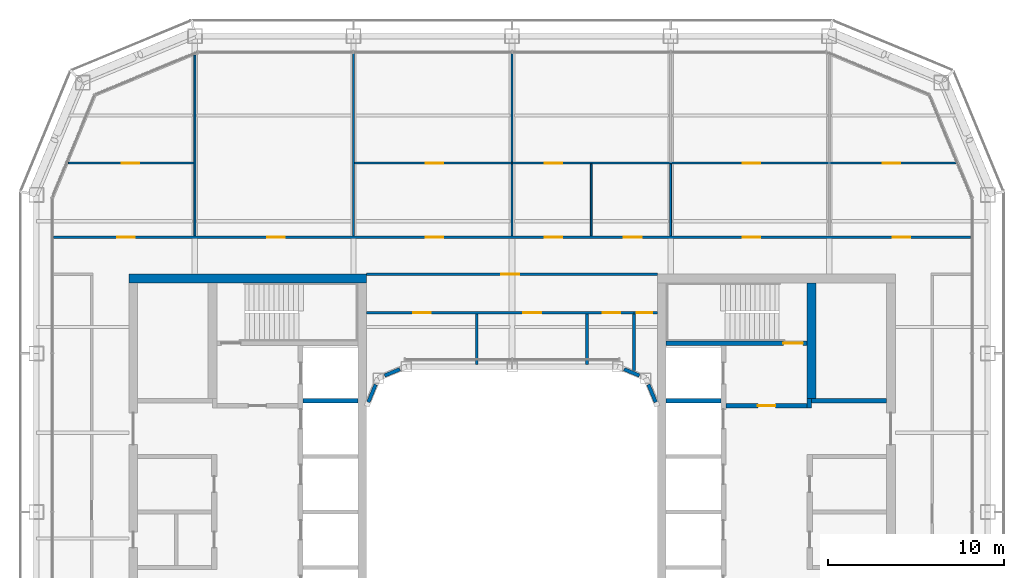
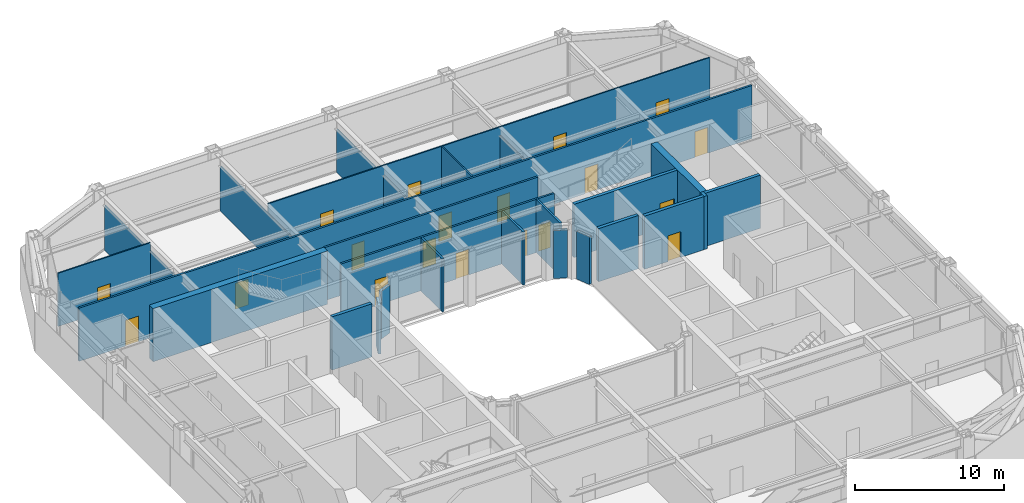
# One storey, part 14 of 19: 27 walls, 19 doors, 19 openings.
"""IFC4 building model written with IfcOpenShell, lengths in metres."""

import ifcopenshell
import ifcopenshell.guid

model = None  # the IFC model being written
_history = None  # IfcOwnerHistory: only IFC2X3 demands one
_inside = {}  # id of a spatial element -> (the spatial element, [elements in it])
_under = {}  # id of a project, library or spatial element -> (it, [spatial elements below it])
_declared = {}  # id of a project -> (the project, [libraries it declares])
_typed = {}  # id of a type object -> (the type object, [elements of that type])
_made_of = {}  # id of a material, layer set ... -> (it, [elements and type objects made of it])


def new_model(schema):
    """Start an empty IFC model of exactly this schema.

    Asked for "IFC4X3", IfcOpenShell would pick the latest addendum, in which some entities
    have other attributes; the version numbers below select the first issue.
    IFC2X3 requires an IfcOwnerHistory on every rooted entity: one is made here for all.
    """
    global model, _history
    if schema == "IFC4X3":
        model = ifcopenshell.file(schema_version=(4, 3, 0, 0))
    else:
        model = ifcopenshell.file(schema=schema)
    _inside.clear()
    _under.clear()
    _declared.clear()
    _typed.clear()
    _made_of.clear()
    _history = None
    if model.schema == "IFC2X3":
        org = make("IfcOrganization", Name="unknown")
        user = make(
            "IfcPersonAndOrganization",
            ThePerson=make("IfcPerson", FamilyName="unknown"),
            TheOrganization=org,
        )
        app = make(
            "IfcApplication",
            ApplicationDeveloper=org,
            Version="unknown",
            ApplicationFullName="unknown",
            ApplicationIdentifier="unknown",
        )
        _history = make(
            "IfcOwnerHistory",
            OwningUser=user,
            OwningApplication=app,
            ChangeAction="ADDED",
            CreationDate=0,
        )
    return model


def make(cls, **values):
    """One entity of the class cls with the attributes given. An attribute that is None is left unset."""
    return model.create_entity(
        cls, **{name: value for name, value in values.items() if value is not None}
    )


def rooted(cls, **values):
    """An entity with a GlobalId (a new one), such as an element, a storey or a relation."""
    return make(cls, GlobalId=ifcopenshell.guid.new(), OwnerHistory=_history, **values)


def si_unit(unit_type, name, prefix=None):
    """IfcSIUnit, for example si_unit("LENGTHUNIT", "METRE", prefix="MILLI")."""
    return make("IfcSIUnit", UnitType=unit_type, Prefix=prefix, Name=name)


def assignment(units):
    """IfcUnitAssignment: the units of a project."""
    return None if units is None else make("IfcUnitAssignment", Units=units)


def point(xyz):
    """IfcCartesianPoint."""
    return None if xyz is None else make("IfcCartesianPoint", Coordinates=xyz)


def direction(xyz):
    """IfcDirection."""
    return None if xyz is None else make("IfcDirection", DirectionRatios=xyz)


def frame(location, z_axis=None, x_axis=None):
    """IfcAxis2Placement3D, a coordinate frame: its origin and axes. An axis left out is left unset."""
    return make(
        "IfcAxis2Placement3D",
        Location=point(location),
        Axis=direction(z_axis),
        RefDirection=direction(x_axis),
    )


def frame_2d(location, x_axis=None):
    """IfcAxis2Placement2D, a coordinate frame in the plane: its origin and x axis."""
    return make(
        "IfcAxis2Placement2D", Location=point(location), RefDirection=direction(x_axis)
    )


def origin():
    """The frame at (0, 0, 0) with its axes left unset."""
    return frame((0.0, 0.0, 0.0))


def place(relative_to, where):
    """IfcLocalPlacement: puts the frame where relative to a parent placement (None: the world)."""
    return make(
        "IfcLocalPlacement", PlacementRelTo=relative_to, RelativePlacement=where
    )


def context(
    kind, dimensions, precision=None, world=None, true_north=None, identifier=None
):
    """IfcGeometricRepresentationContext, for example the 3D "Model" context."""
    return make(
        "IfcGeometricRepresentationContext",
        ContextIdentifier=identifier,
        ContextType=kind,
        CoordinateSpaceDimension=dimensions,
        Precision=precision,
        WorldCoordinateSystem=world,
        TrueNorth=true_north,
    )


def subcontext(parent, identifier, kind, view, scale=None):
    """IfcGeometricRepresentationSubContext, for example "Body" below "Model"."""
    return make(
        "IfcGeometricRepresentationSubContext",
        ContextIdentifier=identifier,
        ContextType=kind,
        ParentContext=parent,
        TargetScale=scale,
        TargetView=view,
    )


def project(units=None, contexts=None):
    """IfcProject with its units and contexts."""
    return rooted(
        "IfcProject",
        Name="project",
        RepresentationContexts=contexts,
        UnitsInContext=assignment(units),
    )


def spatial(cls, under=None, at=None, **own):
    """A site, building, storey or space (cls), placed at a placement, below another one or the project."""
    s = rooted(cls, ObjectPlacement=at, **own)
    if under is not None:
        _under.setdefault(under.id(), (under, []))[1].append(s)
    return s


def profile(cls, at=None, kind="AREA", **sizes):
    """A parametric profile (cls). Its sizes go by their IFC names, for example OverallWidth=200.0."""
    return make(cls, ProfileType=kind, Position=at, **sizes)


def rectangle(**sizes):
    """IfcRectangleProfileDef."""
    return profile("IfcRectangleProfileDef", **sizes)


def extrude(swept, where, along, depth):
    """IfcExtrudedAreaSolid: the profile swept, set in the frame where, extruded along a direction by depth."""
    return make(
        "IfcExtrudedAreaSolid",
        SweptArea=swept,
        Position=where,
        ExtrudedDirection=direction(along),
        Depth=depth,
    )


def shape(context_of_items, identifier, shape_type, items):
    """IfcShapeRepresentation: the items that make up one representation, for example the "Body"."""
    return make(
        "IfcShapeRepresentation",
        ContextOfItems=context_of_items,
        RepresentationIdentifier=identifier,
        RepresentationType=shape_type,
        Items=items,
    )


def material(Name=None, Category=None):
    """IfcMaterial."""
    return make("IfcMaterial", Name=Name, Category=Category)


def layer(
    of_material, thickness, ventilated=None, Name=None, Category=None, Priority=None
):
    """IfcMaterialLayer: one layer of a wall or slab, of a material (None: an air gap)."""
    return make(
        "IfcMaterialLayer",
        Material=of_material,
        LayerThickness=thickness,
        IsVentilated=ventilated,
        Name=Name,
        Category=Category,
        Priority=Priority,
    )


def layer_set(layers, Name=None):
    """IfcMaterialLayerSet."""
    return make("IfcMaterialLayerSet", MaterialLayers=layers, LayerSetName=Name)


def made_of(thing, what):
    """Note that an element or type object is made of a material, layer set ...; save() writes the relation."""
    if what is not None:
        _made_of.setdefault(what.id(), (what, []))[1].append(thing)
    return thing


def type_object(cls, material=None, **own):
    """A type object (cls), such as IfcWallType, which elements share."""
    return made_of(rooted(cls, **own), material)


def element(
    cls,
    number,
    at=None,
    inside=None,
    cuts=None,
    type_object=None,
    material=None,
    context=None,
    identifier="Body",
    shape_type=None,
    held_by="IfcProductDefinitionShape",
    body=None,
    shapes=None,
    **own,
):
    """One element of the class cls, such as IfcWall. Its Tag is "e" and its number.

    at: its placement. inside: the storey or other place that contains it. cuts: it is an
    opening in that element (IfcRelVoidsElement). A single representation is given by context,
    identifier, shape_type and body (its items); several are given by shapes. held_by: the class
    of the entity that holds the representations. save() writes the other relations.
    """
    e = rooted(cls, Tag="e%d" % number, ObjectPlacement=at, **own)
    if body is not None:
        shapes = [shape(context, identifier, shape_type, body)]
    if shapes is not None:
        e.Representation = make(held_by, Representations=shapes)
    if inside is not None:
        _inside.setdefault(inside.id(), (inside, []))[1].append(e)
    if cuts is not None:
        rooted(
            "IfcRelVoidsElement", RelatingBuildingElement=cuts, RelatedOpeningElement=e
        )
    if type_object is not None:
        _typed.setdefault(type_object.id(), (type_object, []))[1].append(e)
    return made_of(e, material)


def fill(opening, filler):
    """IfcRelFillsElement: the door or window that sits in an opening."""
    return rooted(
        "IfcRelFillsElement",
        RelatingOpeningElement=opening,
        RelatedBuildingElement=filler,
    )


def aggregate(whole, parts):
    """IfcRelAggregates: a whole, such as a stair, and the parts it consists of."""
    return rooted("IfcRelAggregates", RelatingObject=whole, RelatedObjects=parts)


def save(model, path):
    """Write the relations noted so far, then the file.

    IfcRelAggregates (storeys below a building ...), IfcRelContainedInSpatialStructure (elements
    in a storey), IfcRelDefinesByType, IfcRelAssociatesMaterial and IfcRelDeclares: one each for
    every whole, place, type object, material and project.
    """
    for whole, parts in _under.values():
        aggregate(whole, parts)
    for where, things in _inside.values():
        rooted(
            "IfcRelContainedInSpatialStructure",
            RelatedElements=things,
            RelatingStructure=where,
        )
    for kind, things in _typed.values():
        rooted("IfcRelDefinesByType", RelatedObjects=things, RelatingType=kind)
    for what, things in _made_of.values():
        rooted("IfcRelAssociatesMaterial", RelatedObjects=things, RelatingMaterial=what)
    for by, libraries in _declared.values():
        rooted("IfcRelDeclares", RelatingContext=by, RelatedDefinitions=libraries)
    model.write(path)


model = new_model("IFC4")

# Units and contexts
model_context = context("Model", 3, precision=1e-05, world=origin(), true_north=direction((0.0, 1.0)))
body_context = subcontext(model_context, "Body", "Model", "MODEL_VIEW")
ifc_project = project(units=[si_unit("LENGTHUNIT", "METRE"), si_unit("AREAUNIT", "SQUARE_METRE"), si_unit("VOLUMEUNIT", "CUBIC_METRE"), si_unit("PLANEANGLEUNIT", "RADIAN"), si_unit("MASSUNIT", "GRAM", prefix="KILO")], contexts=[model_context])

# Site, building, storey
site_placement = place(None, origin())
site = spatial("IfcSite", under=ifc_project, at=site_placement, CompositionType="ELEMENT")
building_placement = place(site_placement, origin())
building = spatial("IfcBuilding", under=site, at=building_placement, Name="Siwar Civic Tower", CompositionType="ELEMENT")
storey_placement = place(building_placement, frame((0.0, 0.0, 192.699951171875)))
storey = spatial("IfcBuildingStorey", under=building, at=storey_placement, Name="L41", CompositionType="ELEMENT", Elevation=192.699951171875)

# Wall, opening, door
ifc_material_1 = material(Name="Gypsum board on steel studs", Category="steel")
ifc_layer_1 = layer(ifc_material_1, 0.14990234375)
ifc_layer_set_1 = layer_set([ifc_layer_1], Name="Gypsum board on steel studs")
wall_type_1 = type_object("IfcWallType", Name="COMPARTMENT PARTITION 150 EI 60", PredefinedType="PARTITIONING", material=ifc_layer_set_1)
wall_1_placement = place(storey_placement, frame((6.919921875, 11.300048828125, 0.0), z_axis=(0.0, 0.0, 1.0), x_axis=(1.0, 0.0, 0.0)))
wall_1 = element("IfcWall", 1, at=wall_1_placement, inside=storey, type_object=wall_type_1, Name="L41/wall/P08", PredefinedType="PARTITIONING", context=body_context, shape_type="SweptSolid", body=[
    extrude(rectangle(XDim=1.330078125, YDim=0.14990234375, at=frame_2d((0.6650390625, 0.0))), origin(), (0.0, 0.0, 1.0), 4.35009765625),
])
opening_1_placement = place(wall_1_placement, frame((0.14990234375, 0.0, 0.0)))
opening_1 = element("IfcOpeningElement", 2, at=opening_1_placement, cuts=wall_1, Name="Opening D4", PredefinedType="OPENING", context=body_context, shape_type="SweptSolid", body=[
    extrude(rectangle(XDim=0.89990234375, YDim=2.10009765625, at=frame_2d((0.449951171875, 1.050048828125))), frame((0.0, 0.0849609375, 0.0), z_axis=(0.0, -1.0, 0.0), x_axis=(1.0, 0.0, 0.0)), (0.0, 0.0, 1.0), 0.169921875),
])
ifc_material_2 = material(Name="Timber, painted", Category="wood")
door_type_1 = type_object("IfcDoorType", Name="DOOR 900 X 2100 FD60", OperationType="SINGLE_SWING_LEFT", PredefinedType="DOOR", material=ifc_material_2)
door_1_placement = place(opening_1_placement, origin())
door_1 = element("IfcDoor", 3, at=door_1_placement, inside=storey, type_object=door_type_1, Name="L41-D28", OperationType="SINGLE_SWING_RIGHT", OverallHeight=2.10009765625, OverallWidth=0.89990234375, PredefinedType="DOOR", context=body_context, shape_type="SweptSolid", body=[
    extrude(rectangle(XDim=0.89990234375, YDim=2.10009765625, at=frame_2d((0.449951171875, 1.050048828125))), frame((0.0, 0.02490234375, 0.0), z_axis=(0.0, -1.0, 0.0), x_axis=(1.0, 0.0, 0.0)), (0.0, 0.0, 1.0), 0.050048828125),
])
fill(opening_1, door_1)

# Walls
wall_2_placement = place(storey_placement, frame((6.919921875, 8.029052734375, 0.0), z_axis=(0.0, 0.0, 1.0), x_axis=(0.0, 1.0, 0.0)))
element("IfcWall", 4, at=wall_2_placement, inside=storey, type_object=wall_type_1, Name="L41/wall/P27", PredefinedType="PARTITIONING", context=body_context, shape_type="SweptSolid", body=[
    extrude(rectangle(XDim=3.196044921875, YDim=0.14990234375, at=frame_2d((1.59814453125, 0.0))), origin(), (0.0, 0.0, 1.0), 4.35009765625),
])
ifc_material_3 = material(Name="Concrete C60/75", Category="concrete")
ifc_layer_2 = layer(ifc_material_3, 0.25)
ifc_layer_set_2 = layer_set([ifc_layer_2], Name="Concrete C60/75")
wall_type_2 = type_object("IfcWallType", Name="CORE-WALL-RC250", PredefinedType="SHEAR", material=ifc_layer_set_2)
wall_3_placement = place(storey_placement, frame((-8.75, 6.300048828125, 0.0), z_axis=(0.0, 0.0, 1.0), x_axis=(-1.0, 0.0, 0.0)))
element("IfcWall", 5, at=wall_3_placement, inside=storey, type_object=wall_type_2, Name="Core wall W", PredefinedType="SHEAR", context=body_context, shape_type="SweptSolid", body=[
    extrude(rectangle(XDim=3.10009765625, YDim=0.25, at=frame_2d((1.550048828125, 0.0))), origin(), (0.0, 0.0, 1.0), 4.35009765625),
])

# Wall, opening, door
wall_4_placement = place(storey_placement, frame((12.14990234375, 6.02490234375, 0.0), z_axis=(0.0, 0.0, 1.0), x_axis=(1.0, 0.0, 0.0)))
wall_4 = element("IfcWall", 6, at=wall_4_placement, inside=storey, type_object=wall_type_2, Name="Core wall E", PredefinedType="SHEAR", context=body_context, shape_type="SweptSolid", body=[
    extrude(rectangle(XDim=4.60009765625, YDim=0.25, at=frame_2d((2.300048828125, 0.0))), origin(), (0.0, 0.0, 1.0), 4.35009765625),
])
opening_2_placement = place(wall_4_placement, frame((1.800048828125, 0.0, 0.0)))
opening_2 = element("IfcOpeningElement", 7, at=opening_2_placement, cuts=wall_4, Name="Opening L41-CE01", PredefinedType="OPENING", context=body_context, shape_type="SweptSolid", body=[
    extrude(rectangle(XDim=1.0, YDim=2.10009765625, at=frame_2d((0.5, 1.050048828125))), frame((0.0, 0.135009765625, 0.0), z_axis=(0.0, -1.0, 0.0), x_axis=(1.0, 0.0, 0.0)), (0.0, 0.0, 1.0), 0.27001953125),
])
ifc_material_4 = material(Name="Steel door leaf", Category="steel")
door_type_2 = type_object("IfcDoorType", Name="CORE-DOOR-FD30S", OperationType="SINGLE_SWING_LEFT", PredefinedType="DOOR", material=ifc_material_4)
door_2_placement = place(opening_2_placement, origin())
door_2 = element("IfcDoor", 8, at=door_2_placement, inside=storey, type_object=door_type_2, Name="Firefighting lobby door L41-CE01", OperationType="SINGLE_SWING_RIGHT", OverallHeight=2.10009765625, OverallWidth=1.0, PredefinedType="DOOR", context=body_context, shape_type="SweptSolid", body=[
    extrude(rectangle(XDim=1.0, YDim=2.10009765625, at=frame_2d((0.5, 1.050048828125))), frame((0.0, 0.02490234375, 0.0), z_axis=(0.0, -1.0, 0.0), x_axis=(1.0, 0.0, 0.0)), (0.0, 0.0, 1.0), 0.050048828125),
])
fill(opening_2, door_2)

# Walls
wall_5_placement = place(storey_placement, frame((16.875, 5.89990234375, 0.0), z_axis=(0.0, 0.0, 1.0), x_axis=(0.0, 1.0, 0.0)))
element("IfcWall", 9, at=wall_5_placement, inside=storey, type_object=wall_type_2, Name="Core wall E", PredefinedType="SHEAR", context=body_context, shape_type="SweptSolid", body=[
    extrude(rectangle(XDim=0.525146484375, YDim=0.25, at=frame_2d((0.2626953125, 0.0))), origin(), (0.0, 0.0, 1.0), 4.35009765625),
])
wall_6_placement = place(storey_placement, frame((17.0, 6.300048828125, 0.0), z_axis=(0.0, 0.0, 1.0), x_axis=(1.0, 0.0, 0.0)))
element("IfcWall", 10, at=wall_6_placement, inside=storey, type_object=wall_type_2, Name="Core wall E", PredefinedType="SHEAR", context=body_context, shape_type="SweptSolid", body=[
    extrude(rectangle(XDim=4.25, YDim=0.25, at=frame_2d((2.125, 0.0))), origin(), (0.0, 0.0, 1.0), 4.35009765625),
])
wall_7_placement = place(storey_placement, frame((8.75, 6.300048828125, 0.0), z_axis=(0.0, 0.0, 1.0), x_axis=(1.0, 0.0, 0.0)))
element("IfcWall", 11, at=wall_7_placement, inside=storey, type_object=wall_type_2, Name="Core wall E", PredefinedType="SHEAR", context=body_context, shape_type="SweptSolid", body=[
    extrude(rectangle(XDim=3.10009765625, YDim=0.25, at=frame_2d((1.550048828125, 0.0))), origin(), (0.0, 0.0, 1.0), 4.35009765625),
])

# Wall, opening, door
wall_8_placement = place(storey_placement, frame((8.75, 9.574951171875, 0.0), z_axis=(0.0, 0.0, 1.0), x_axis=(1.0, 0.0, 0.0)))
wall_8 = element("IfcWall", 12, at=wall_8_placement, inside=storey, type_object=wall_type_2, Name="Core wall E", PredefinedType="SHEAR", context=body_context, shape_type="SweptSolid", body=[
    extrude(rectangle(XDim=8.0, YDim=0.25, at=frame_2d((4.0, 0.0))), origin(), (0.0, 0.0, 1.0), 4.35009765625),
])
opening_3_placement = place(wall_8_placement, frame((6.64990234375, 0.0, 0.0)))
opening_3 = element("IfcOpeningElement", 13, at=opening_3_placement, cuts=wall_8, Name="Opening L41-CE03", PredefinedType="OPENING", context=body_context, shape_type="SweptSolid", body=[
    extrude(rectangle(XDim=1.10009765625, YDim=2.10009765625, at=frame_2d((0.550048828125, 1.050048828125))), frame((0.0, 0.135009765625, 0.0), z_axis=(0.0, -1.0, 0.0), x_axis=(1.0, 0.0, 0.0)), (0.0, 0.0, 1.0), 0.27001953125),
])
ifc_material_5 = material(Name="Steel door leaf", Category="steel")
door_type_3 = type_object("IfcDoorType", Name="CORE-DOOR-FD60S", OperationType="SINGLE_SWING_LEFT", PredefinedType="DOOR", material=ifc_material_5)
door_3_placement = place(opening_3_placement, origin())
door_3 = element("IfcDoor", 14, at=door_3_placement, inside=storey, type_object=door_type_3, Name="Stair door L41-CE03", OperationType="SINGLE_SWING_LEFT", OverallHeight=2.10009765625, OverallWidth=1.10009765625, PredefinedType="DOOR", context=body_context, shape_type="SweptSolid", body=[
    extrude(rectangle(XDim=1.10009765625, YDim=2.10009765625, at=frame_2d((0.550048828125, 1.050048828125))), frame((0.0, 0.02490234375, 0.0), z_axis=(0.0, -1.0, 0.0), x_axis=(1.0, 0.0, 0.0)), (0.0, 0.0, 1.0), 0.050048828125),
])
fill(opening_3, door_3)

# Walls
ifc_material_6 = material(Name="Concrete C60/75", Category="concrete")
ifc_layer_3 = layer(ifc_material_6, 0.5)
ifc_layer_set_3 = layer_set([ifc_layer_3], Name="Concrete C60/75")
wall_type_3 = type_object("IfcWallType", Name="CORE-WALL-RC500", PredefinedType="SHEAR", material=ifc_layer_set_3)
wall_9_placement = place(storey_placement, frame((-8.25, 13.25, 0.0), z_axis=(0.0, 0.0, 1.0), x_axis=(-1.0, 0.0, 0.0)))
element("IfcWall", 15, at=wall_9_placement, inside=storey, type_object=wall_type_3, Name="Core wall W", PredefinedType="SHEAR", context=body_context, shape_type="SweptSolid", body=[
    extrude(rectangle(XDim=13.5, YDim=0.5, at=frame_2d((6.75, 0.0))), origin(), (0.0, 0.0, 1.0), 4.35009765625),
])
wall_10_placement = place(storey_placement, frame((17.0, 6.425048828125, 0.0), z_axis=(0.0, 0.0, 1.0), x_axis=(0.0, 1.0, 0.0)))
element("IfcWall", 16, at=wall_10_placement, inside=storey, type_object=wall_type_3, Name="Core wall E", PredefinedType="SHEAR", context=body_context, shape_type="SweptSolid", body=[
    extrude(rectangle(XDim=6.574951171875, YDim=0.5, at=frame_2d((3.28759765625, 0.0))), origin(), (0.0, 0.0, 1.0), 4.35009765625),
])

# Wall, openings, doors
ifc_material_7 = material(Name="Gypsum board on steel studs", Category="steel")
ifc_layer_4 = layer(ifc_material_7, 0.14990234375)
ifc_layer_set_4 = layer_set([ifc_layer_4], Name="Gypsum board on steel studs")
wall_type_4 = type_object("IfcWallType", Name="CORRIDOR PARTITION 150 EI 30", PredefinedType="PARTITIONING", material=ifc_layer_set_4)
wall_11_placement = place(storey_placement, frame((-8.25, 11.300048828125, 0.0), z_axis=(0.0, 0.0, 1.0), x_axis=(1.0, 0.0, 0.0)))
wall_11 = element("IfcWall", 17, at=wall_11_placement, inside=storey, type_object=wall_type_4, Name="L41/wall/P07", PredefinedType="PARTITIONING", context=body_context, shape_type="SweptSolid", body=[
    extrude(rectangle(XDim=15.169921875, YDim=0.14990234375, at=frame_2d((7.5849609375, 0.0))), origin(), (0.0, 0.0, 1.0), 4.35009765625),
])
opening_4_placement = place(wall_11_placement, frame((2.64990234375, 0.0, 0.0)))
opening_4 = element("IfcOpeningElement", 18, at=opening_4_placement, cuts=wall_11, Name="Opening D3", PredefinedType="OPENING", context=body_context, shape_type="SweptSolid", body=[
    extrude(rectangle(XDim=1.0, YDim=2.10009765625, at=frame_2d((0.5, 1.050048828125))), frame((0.0, 0.0849609375, 0.0), z_axis=(0.0, -1.0, 0.0), x_axis=(1.0, 0.0, 0.0)), (0.0, 0.0, 1.0), 0.169921875),
])
opening_5_placement = place(wall_11_placement, frame((8.89990234375, 0.0, 0.0)))
opening_5 = element("IfcOpeningElement", 19, at=opening_5_placement, cuts=wall_11, Name="Opening D3", PredefinedType="OPENING", context=body_context, shape_type="SweptSolid", body=[
    extrude(rectangle(XDim=1.0, YDim=2.10009765625, at=frame_2d((0.5, 1.050048828125))), frame((0.0, 0.0849609375, 0.0), z_axis=(0.0, -1.0, 0.0), x_axis=(1.0, 0.0, 0.0)), (0.0, 0.0, 1.0), 0.169921875),
])
opening_6_placement = place(wall_11_placement, frame((13.39990234375, 0.0, 0.0)))
opening_6 = element("IfcOpeningElement", 20, at=opening_6_placement, cuts=wall_11, Name="Opening D3", PredefinedType="OPENING", context=body_context, shape_type="SweptSolid", body=[
    extrude(rectangle(XDim=1.0, YDim=2.10009765625, at=frame_2d((0.5, 1.050048828125))), frame((0.0, 0.0849609375, 0.0), z_axis=(0.0, -1.0, 0.0), x_axis=(1.0, 0.0, 0.0)), (0.0, 0.0, 1.0), 0.169921875),
])
ifc_material_8 = material(Name="Timber, painted", Category="wood")
door_type_4 = type_object("IfcDoorType", Name="DOOR 1000 X 2100 WC", OperationType="SINGLE_SWING_LEFT", PredefinedType="DOOR", material=ifc_material_8)
door_4_placement = place(opening_4_placement, origin())
door_4 = element("IfcDoor", 21, at=door_4_placement, inside=storey, type_object=door_type_4, Name="L41-D25", OperationType="SINGLE_SWING_LEFT", OverallHeight=2.10009765625, OverallWidth=1.0, PredefinedType="DOOR", context=body_context, shape_type="SweptSolid", body=[
    extrude(rectangle(XDim=1.0, YDim=2.10009765625, at=frame_2d((0.5, 1.050048828125))), frame((0.0, 0.02490234375, 0.0), z_axis=(0.0, -1.0, 0.0), x_axis=(1.0, 0.0, 0.0)), (0.0, 0.0, 1.0), 0.050048828125),
])
fill(opening_4, door_4)
door_5_placement = place(opening_5_placement, origin())
door_5 = element("IfcDoor", 22, at=door_5_placement, inside=storey, type_object=door_type_4, Name="L41-D26", OperationType="SINGLE_SWING_RIGHT", OverallHeight=2.10009765625, OverallWidth=1.0, PredefinedType="DOOR", context=body_context, shape_type="SweptSolid", body=[
    extrude(rectangle(XDim=1.0, YDim=2.10009765625, at=frame_2d((0.5, 1.050048828125))), frame((0.0, 0.02490234375, 0.0), z_axis=(0.0, -1.0, 0.0), x_axis=(1.0, 0.0, 0.0)), (0.0, 0.0, 1.0), 0.050048828125),
])
fill(opening_5, door_5)
door_6_placement = place(opening_6_placement, origin())
door_6 = element("IfcDoor", 23, at=door_6_placement, inside=storey, type_object=door_type_4, Name="L41-D27", OperationType="SINGLE_SWING_LEFT", OverallHeight=2.10009765625, OverallWidth=1.0, PredefinedType="DOOR", context=body_context, shape_type="SweptSolid", body=[
    extrude(rectangle(XDim=1.0, YDim=2.10009765625, at=frame_2d((0.5, 1.050048828125))), frame((0.0, 0.02490234375, 0.0), z_axis=(0.0, -1.0, 0.0), x_axis=(1.0, 0.0, 0.0)), (0.0, 0.0, 1.0), 0.050048828125),
])
fill(opening_6, door_6)

# Wall, opening, door
wall_12_placement = place(storey_placement, frame((-8.25, 13.5, 0.0), z_axis=(0.0, 0.0, 1.0), x_axis=(1.0, 0.0, 0.0)))
wall_12 = element("IfcWall", 24, at=wall_12_placement, inside=storey, type_object=wall_type_4, Name="L41/wall/P10", PredefinedType="PARTITIONING", context=body_context, shape_type="SweptSolid", body=[
    extrude(rectangle(XDim=16.5, YDim=0.14990234375, at=frame_2d((8.25, 0.0))), origin(), (0.0, 0.0, 1.0), 4.35009765625),
])
opening_7_placement = place(wall_12_placement, frame((7.64990234375, 0.0, 0.0)))
opening_7 = element("IfcOpeningElement", 25, at=opening_7_placement, cuts=wall_12, Name="Opening D1", PredefinedType="OPENING", context=body_context, shape_type="SweptSolid", body=[
    extrude(rectangle(XDim=1.0, YDim=2.10009765625, at=frame_2d((0.5, 1.050048828125))), frame((0.0, 0.0849609375, 0.0), z_axis=(0.0, -1.0, 0.0), x_axis=(1.0, 0.0, 0.0)), (0.0, 0.0, 1.0), 0.169921875),
])
ifc_material_9 = material(Name="Timber, painted", Category="wood")
door_type_5 = type_object("IfcDoorType", Name="DOOR 1000 X 2100 FD30", OperationType="SINGLE_SWING_LEFT", PredefinedType="DOOR", material=ifc_material_9)
door_7_placement = place(opening_7_placement, origin())
door_7 = element("IfcDoor", 26, at=door_7_placement, inside=storey, type_object=door_type_5, Name="L41-D24", OperationType="SINGLE_SWING_RIGHT", OverallHeight=2.10009765625, OverallWidth=1.0, PredefinedType="DOOR", context=body_context, shape_type="SweptSolid", body=[
    extrude(rectangle(XDim=1.0, YDim=2.10009765625, at=frame_2d((0.5, 1.050048828125))), frame((0.0, 0.02490234375, 0.0), z_axis=(0.0, -1.0, 0.0), x_axis=(1.0, 0.0, 0.0)), (0.0, 0.0, 1.0), 0.050048828125),
])
fill(opening_7, door_7)

# Wall, openings, doors
wall_13_placement = place(storey_placement, frame((-26.010009765625, 15.60009765625, 0.0), z_axis=(0.0, 0.0, 1.0), x_axis=(1.0, 0.0, 0.0)))
wall_13 = element("IfcWall", 27, at=wall_13_placement, inside=storey, type_object=wall_type_4, Name="L41/wall/P12", PredefinedType="PARTITIONING", context=body_context, shape_type="SweptSolid", body=[
    extrude(rectangle(XDim=52.02001953125, YDim=0.14990234375, at=frame_2d((26.010009765625, 0.0))), origin(), (0.0, 0.0, 1.0), 4.35009765625),
])
opening_8_placement = place(wall_13_placement, frame((12.110107421875, 0.0, 0.0)))
opening_8 = element("IfcOpeningElement", 28, at=opening_8_placement, cuts=wall_13, Name="Opening D1", PredefinedType="OPENING", context=body_context, shape_type="SweptSolid", body=[
    extrude(rectangle(XDim=1.0, YDim=2.10009765625, at=frame_2d((0.5, 1.050048828125))), frame((0.0, 0.0849609375, 0.0), z_axis=(0.0, -1.0, 0.0), x_axis=(1.0, 0.0, 0.0)), (0.0, 0.0, 1.0), 0.169921875),
])
opening_9_placement = place(wall_13_placement, frame((21.110107421875, 0.0, 0.0)))
opening_9 = element("IfcOpeningElement", 29, at=opening_9_placement, cuts=wall_13, Name="Opening D1", PredefinedType="OPENING", context=body_context, shape_type="SweptSolid", body=[
    extrude(rectangle(XDim=1.0, YDim=2.10009765625, at=frame_2d((0.5, 1.050048828125))), frame((0.0, 0.0849609375, 0.0), z_axis=(0.0, -1.0, 0.0), x_axis=(1.0, 0.0, 0.0)), (0.0, 0.0, 1.0), 0.169921875),
])
opening_10_placement = place(wall_13_placement, frame((27.860107421875, 0.0, 0.0)))
opening_10 = element("IfcOpeningElement", 30, at=opening_10_placement, cuts=wall_13, Name="Opening D1", PredefinedType="OPENING", context=body_context, shape_type="SweptSolid", body=[
    extrude(rectangle(XDim=1.0, YDim=2.10009765625, at=frame_2d((0.5, 1.050048828125))), frame((0.0, 0.0849609375, 0.0), z_axis=(0.0, -1.0, 0.0), x_axis=(1.0, 0.0, 0.0)), (0.0, 0.0, 1.0), 0.169921875),
])
opening_11_placement = place(wall_13_placement, frame((32.360107421875, 0.0, 0.0)))
opening_11 = element("IfcOpeningElement", 31, at=opening_11_placement, cuts=wall_13, Name="Opening D1", PredefinedType="OPENING", context=body_context, shape_type="SweptSolid", body=[
    extrude(rectangle(XDim=1.0, YDim=2.10009765625, at=frame_2d((0.5, 1.050048828125))), frame((0.0, 0.0849609375, 0.0), z_axis=(0.0, -1.0, 0.0), x_axis=(1.0, 0.0, 0.0)), (0.0, 0.0, 1.0), 0.169921875),
])
opening_12_placement = place(wall_13_placement, frame((39.110107421875, 0.0, 0.0)))
opening_12 = element("IfcOpeningElement", 32, at=opening_12_placement, cuts=wall_13, Name="Opening D1", PredefinedType="OPENING", context=body_context, shape_type="SweptSolid", body=[
    extrude(rectangle(XDim=1.0, YDim=2.10009765625, at=frame_2d((0.5, 1.050048828125))), frame((0.0, 0.0849609375, 0.0), z_axis=(0.0, -1.0, 0.0), x_axis=(1.0, 0.0, 0.0)), (0.0, 0.0, 1.0), 0.169921875),
])
opening_13_placement = place(wall_13_placement, frame((3.610107421875, 0.0, 0.0)))
opening_13 = element("IfcOpeningElement", 33, at=opening_13_placement, cuts=wall_13, Name="Opening D1", PredefinedType="OPENING", context=body_context, shape_type="SweptSolid", body=[
    extrude(rectangle(XDim=1.0, YDim=2.10009765625, at=frame_2d((0.5, 1.050048828125))), frame((0.0, 0.0849609375, 0.0), z_axis=(0.0, -1.0, 0.0), x_axis=(1.0, 0.0, 0.0)), (0.0, 0.0, 1.0), 0.169921875),
])
opening_14_placement = place(wall_13_placement, frame((47.6201171875, 0.0, 0.0)))
opening_14 = element("IfcOpeningElement", 34, at=opening_14_placement, cuts=wall_13, Name="Opening D1", PredefinedType="OPENING", context=body_context, shape_type="SweptSolid", body=[
    extrude(rectangle(XDim=1.0, YDim=2.10009765625, at=frame_2d((0.5, 1.050048828125))), frame((0.0, 0.0849609375, 0.0), z_axis=(0.0, -1.0, 0.0), x_axis=(1.0, 0.0, 0.0)), (0.0, 0.0, 1.0), 0.169921875),
])
door_8_placement = place(opening_8_placement, origin())
door_8 = element("IfcDoor", 35, at=door_8_placement, inside=storey, type_object=door_type_5, Name="L41-D01", OperationType="SINGLE_SWING_LEFT", OverallHeight=2.10009765625, OverallWidth=1.0, PredefinedType="DOOR", context=body_context, shape_type="SweptSolid", body=[
    extrude(rectangle(XDim=1.0, YDim=2.10009765625, at=frame_2d((0.5, 1.050048828125))), frame((0.0, 0.02490234375, 0.0), z_axis=(0.0, -1.0, 0.0), x_axis=(1.0, 0.0, 0.0)), (0.0, 0.0, 1.0), 0.050048828125),
])
fill(opening_8, door_8)
door_9_placement = place(opening_9_placement, origin())
door_9 = element("IfcDoor", 36, at=door_9_placement, inside=storey, type_object=door_type_5, Name="L41-D02", OperationType="SINGLE_SWING_RIGHT", OverallHeight=2.10009765625, OverallWidth=1.0, PredefinedType="DOOR", context=body_context, shape_type="SweptSolid", body=[
    extrude(rectangle(XDim=1.0, YDim=2.10009765625, at=frame_2d((0.5, 1.050048828125))), frame((0.0, 0.02490234375, 0.0), z_axis=(0.0, -1.0, 0.0), x_axis=(1.0, 0.0, 0.0)), (0.0, 0.0, 1.0), 0.050048828125),
])
fill(opening_9, door_9)
door_10_placement = place(opening_10_placement, origin())
door_10 = element("IfcDoor", 37, at=door_10_placement, inside=storey, type_object=door_type_5, Name="L41-D04", OperationType="SINGLE_SWING_RIGHT", OverallHeight=2.10009765625, OverallWidth=1.0, PredefinedType="DOOR", context=body_context, shape_type="SweptSolid", body=[
    extrude(rectangle(XDim=1.0, YDim=2.10009765625, at=frame_2d((0.5, 1.050048828125))), frame((0.0, 0.02490234375, 0.0), z_axis=(0.0, -1.0, 0.0), x_axis=(1.0, 0.0, 0.0)), (0.0, 0.0, 1.0), 0.050048828125),
])
fill(opening_10, door_10)
door_11_placement = place(opening_11_placement, origin())
door_11 = element("IfcDoor", 38, at=door_11_placement, inside=storey, type_object=door_type_5, Name="L41-D05", OperationType="SINGLE_SWING_LEFT", OverallHeight=2.10009765625, OverallWidth=1.0, PredefinedType="DOOR", context=body_context, shape_type="SweptSolid", body=[
    extrude(rectangle(XDim=1.0, YDim=2.10009765625, at=frame_2d((0.5, 1.050048828125))), frame((0.0, 0.02490234375, 0.0), z_axis=(0.0, -1.0, 0.0), x_axis=(1.0, 0.0, 0.0)), (0.0, 0.0, 1.0), 0.050048828125),
])
fill(opening_11, door_11)
door_12_placement = place(opening_12_placement, origin())
door_12 = element("IfcDoor", 39, at=door_12_placement, inside=storey, type_object=door_type_5, Name="L41-D07", OperationType="SINGLE_SWING_LEFT", OverallHeight=2.10009765625, OverallWidth=1.0, PredefinedType="DOOR", context=body_context, shape_type="SweptSolid", body=[
    extrude(rectangle(XDim=1.0, YDim=2.10009765625, at=frame_2d((0.5, 1.050048828125))), frame((0.0, 0.02490234375, 0.0), z_axis=(0.0, -1.0, 0.0), x_axis=(1.0, 0.0, 0.0)), (0.0, 0.0, 1.0), 0.050048828125),
])
fill(opening_12, door_12)
door_13_placement = place(opening_13_placement, origin())
door_13 = element("IfcDoor", 40, at=door_13_placement, inside=storey, type_object=door_type_5, Name="L41-D16", OperationType="SINGLE_SWING_RIGHT", OverallHeight=2.10009765625, OverallWidth=1.0, PredefinedType="DOOR", context=body_context, shape_type="SweptSolid", body=[
    extrude(rectangle(XDim=1.0, YDim=2.10009765625, at=frame_2d((0.5, 1.050048828125))), frame((0.0, 0.02490234375, 0.0), z_axis=(0.0, -1.0, 0.0), x_axis=(1.0, 0.0, 0.0)), (0.0, 0.0, 1.0), 0.050048828125),
])
fill(opening_13, door_13)
door_14_placement = place(opening_14_placement, origin())
door_14 = element("IfcDoor", 41, at=door_14_placement, inside=storey, type_object=door_type_5, Name="L41-D18", OperationType="SINGLE_SWING_RIGHT", OverallHeight=2.10009765625, OverallWidth=1.0, PredefinedType="DOOR", context=body_context, shape_type="SweptSolid", body=[
    extrude(rectangle(XDim=1.0, YDim=2.10009765625, at=frame_2d((0.5, 1.050048828125))), frame((0.0, 0.02490234375, 0.0), z_axis=(0.0, -1.0, 0.0), x_axis=(1.0, 0.0, 0.0)), (0.0, 0.0, 1.0), 0.050048828125),
])
fill(opening_14, door_14)

# Walls
for number, where, z_axis, x_axis, name in (
    (42, (-2.0, 8.3701171875, 0.0), (0.0, 0.0, 1.0), (0.0, 1.0, 0.0), "L41/wall/P21"),
    (43, (4.25, 8.3701171875, 0.0), (0.0, 0.0, 1.0), (0.0, 1.0, 0.0), "L41/wall/P25"),
):
    element("IfcWall", number, at=place(storey_placement, frame(where, z_axis=z_axis, x_axis=x_axis)), inside=storey, type_object=wall_type_4, Name=name, PredefinedType="PARTITIONING", context=body_context, shape_type="SweptSolid", body=[
        extrude(rectangle(XDim=2.85498046875, YDim=0.14990234375, at=frame_2d((1.427490234375, 0.0))), origin(), (0.0, 0.0, 1.0), 4.35009765625),
    ])
ifc_material_10 = material(Name="Aluminium clad insulated panel", Category="aluminium")
ifc_layer_5 = layer(ifc_material_10, 0.199951171875)
ifc_layer_set_5 = layer_set([ifc_layer_5], Name="Aluminium clad insulated panel")
wall_type_5 = type_object("IfcWallType", Name="ENV-WALL-WELL", PredefinedType="STANDARD", material=ifc_layer_set_5)
wall_14_placement = place(storey_placement, frame((8.154296875, 6.23095703125, 0.0), z_axis=(0.0, 0.0, 1.0), x_axis=(-0.382704496366, 0.923870807235, 0.0)))
element("IfcWall", 44, at=wall_14_placement, inside=storey, type_object=wall_type_5, Name="Light well corner wall NE1", PredefinedType="STANDARD", context=body_context, shape_type="SweptSolid", body=[
    extrude(rectangle(XDim=1.080078125, YDim=0.199951171875, at=frame_2d((0.5400390625, 0.0))), origin(), (0.0, 0.0, 1.0), 3.91796875),
])
for number, where, z_axis, x_axis, name in (
    (45, (7.228759765625, 7.740966796875, 0.0), (0.0, 0.0, 1.0), (-0.923829670615, 0.382803787458, 0.0), "Light well corner wall NE2"),
    (46, (-6.362060546875, 8.10009765625, 0.0), (0.0, 0.0, 1.0), (-0.923829670615, -0.382803787458, 0.0), "Light well corner wall NW1"),
):
    element("IfcWall", number, at=place(storey_placement, frame(where, z_axis=z_axis, x_axis=x_axis)), inside=storey, type_object=wall_type_5, Name=name, PredefinedType="STANDARD", context=body_context, shape_type="SweptSolid", body=[
        extrude(rectangle(XDim=0.938232421875, YDim=0.199951171875, at=frame_2d((0.46923828125, 0.0))), origin(), (0.0, 0.0, 1.0), 3.91796875),
    ])
wall_15_placement = place(storey_placement, frame((-7.740966796875, 7.228759765625, 0.0), z_axis=(0.0, 0.0, 1.0), x_axis=(-0.382704496366, -0.923870807235, 0.0)))
element("IfcWall", 47, at=wall_15_placement, inside=storey, type_object=wall_type_5, Name="Light well corner wall NW2", PredefinedType="STANDARD", context=body_context, shape_type="SweptSolid", body=[
    extrude(rectangle(XDim=1.080078125, YDim=0.199951171875, at=frame_2d((0.5400390625, 0.0))), origin(), (0.0, 0.0, 1.0), 3.91796875),
])

# Wall, opening, door
ifc_material_11 = material(Name="Gypsum board on steel studs", Category="steel")
ifc_layer_6 = layer(ifc_material_11, 0.10009765625)
ifc_layer_set_6 = layer_set([ifc_layer_6], Name="Gypsum board on steel studs")
wall_type_6 = type_object("IfcWallType", Name="PARTITION 100 GYPSUM", PredefinedType="PARTITIONING", material=ifc_layer_set_6)
wall_16_placement = place(storey_placement, frame((-25.18310546875, 19.800048828125, 0.0), z_axis=(0.0, 0.0, 1.0), x_axis=(1.0, 0.0, 0.0)))
wall_16 = element("IfcWall", 48, at=wall_16_placement, inside=storey, type_object=wall_type_6, Name="L41/wall/P13", PredefinedType="PARTITIONING", context=body_context, shape_type="SweptSolid", body=[
    extrude(rectangle(XDim=7.133056640625, YDim=0.10009765625, at=frame_2d((3.56640625, 0.0))), origin(), (0.0, 0.0, 1.0), 4.35009765625),
])
opening_15_placement = place(wall_16_placement, frame((3.032958984375, 0.0, 0.0)))
opening_15 = element("IfcOpeningElement", 49, at=opening_15_placement, cuts=wall_16, Name="Opening D2", PredefinedType="OPENING", context=body_context, shape_type="SweptSolid", body=[
    extrude(rectangle(XDim=1.0, YDim=2.10009765625, at=frame_2d((0.5, 1.050048828125))), frame((0.0, 0.06005859375, 0.0), z_axis=(0.0, -1.0, 0.0), x_axis=(1.0, 0.0, 0.0)), (0.0, 0.0, 1.0), 0.1201171875),
])
ifc_material_12 = material(Name="Timber, painted", Category="wood")
door_type_6 = type_object("IfcDoorType", Name="DOOR 1000 X 2100", OperationType="SINGLE_SWING_LEFT", PredefinedType="DOOR", material=ifc_material_12)
door_15_placement = place(opening_15_placement, origin())
door_15 = element("IfcDoor", 50, at=door_15_placement, inside=storey, type_object=door_type_6, Name="L41-D17", OperationType="SINGLE_SWING_LEFT", OverallHeight=2.10009765625, OverallWidth=1.0, PredefinedType="DOOR", context=body_context, shape_type="SweptSolid", body=[
    extrude(rectangle(XDim=1.0, YDim=2.10009765625, at=frame_2d((0.5, 1.050048828125))), frame((0.0, 0.02490234375, 0.0), z_axis=(0.0, -1.0, 0.0), x_axis=(1.0, 0.0, 0.0)), (0.0, 0.0, 1.0), 0.050048828125),
])
fill(opening_15, door_15)

# Wall, openings, doors
wall_17_placement = place(storey_placement, frame((-8.949951171875, 19.800048828125, 0.0), z_axis=(0.0, 0.0, 1.0), x_axis=(1.0, 0.0, 0.0)))
wall_17 = element("IfcWall", 51, at=wall_17_placement, inside=storey, type_object=wall_type_6, Name="L41/wall/P14", PredefinedType="PARTITIONING", context=body_context, shape_type="SweptSolid", body=[
    extrude(rectangle(XDim=34.133056640625, YDim=0.10009765625, at=frame_2d((17.06640625, 0.0))), origin(), (0.0, 0.0, 1.0), 4.35009765625),
])
opening_16_placement = place(wall_17_placement, frame((4.050048828125, 0.0, 0.0)))
opening_16 = element("IfcOpeningElement", 52, at=opening_16_placement, cuts=wall_17, Name="Opening D2", PredefinedType="OPENING", context=body_context, shape_type="SweptSolid", body=[
    extrude(rectangle(XDim=1.0, YDim=2.10009765625, at=frame_2d((0.5, 1.050048828125))), frame((0.0, 0.06005859375, 0.0), z_axis=(0.0, -1.0, 0.0), x_axis=(1.0, 0.0, 0.0)), (0.0, 0.0, 1.0), 0.1201171875),
])
opening_17_placement = place(wall_17_placement, frame((10.800048828125, 0.0, 0.0)))
opening_17 = element("IfcOpeningElement", 53, at=opening_17_placement, cuts=wall_17, Name="Opening D2", PredefinedType="OPENING", context=body_context, shape_type="SweptSolid", body=[
    extrude(rectangle(XDim=1.0, YDim=2.10009765625, at=frame_2d((0.5, 1.050048828125))), frame((0.0, 0.06005859375, 0.0), z_axis=(0.0, -1.0, 0.0), x_axis=(1.0, 0.0, 0.0)), (0.0, 0.0, 1.0), 0.1201171875),
])
opening_18_placement = place(wall_17_placement, frame((22.050048828125, 0.0, 0.0)))
opening_18 = element("IfcOpeningElement", 54, at=opening_18_placement, cuts=wall_17, Name="Opening D2", PredefinedType="OPENING", context=body_context, shape_type="SweptSolid", body=[
    extrude(rectangle(XDim=1.0, YDim=2.10009765625, at=frame_2d((0.5, 1.050048828125))), frame((0.0, 0.06005859375, 0.0), z_axis=(0.0, -1.0, 0.0), x_axis=(1.0, 0.0, 0.0)), (0.0, 0.0, 1.0), 0.1201171875),
])
opening_19_placement = place(wall_17_placement, frame((29.98291015625, 0.0, 0.0)))
opening_19 = element("IfcOpeningElement", 55, at=opening_19_placement, cuts=wall_17, Name="Opening D2", PredefinedType="OPENING", context=body_context, shape_type="SweptSolid", body=[
    extrude(rectangle(XDim=1.0, YDim=2.10009765625, at=frame_2d((0.5, 1.050048828125))), frame((0.0, 0.06005859375, 0.0), z_axis=(0.0, -1.0, 0.0), x_axis=(1.0, 0.0, 0.0)), (0.0, 0.0, 1.0), 0.1201171875),
])
door_16_placement = place(opening_16_placement, origin())
door_16 = element("IfcDoor", 56, at=door_16_placement, inside=storey, type_object=door_type_6, Name="L41-D03", OperationType="SINGLE_SWING_LEFT", OverallHeight=2.10009765625, OverallWidth=1.0, PredefinedType="DOOR", context=body_context, shape_type="SweptSolid", body=[
    extrude(rectangle(XDim=1.0, YDim=2.10009765625, at=frame_2d((0.5, 1.050048828125))), frame((0.0, 0.02490234375, 0.0), z_axis=(0.0, -1.0, 0.0), x_axis=(1.0, 0.0, 0.0)), (0.0, 0.0, 1.0), 0.050048828125),
])
fill(opening_16, door_16)
door_17_placement = place(opening_17_placement, origin())
door_17 = element("IfcDoor", 57, at=door_17_placement, inside=storey, type_object=door_type_6, Name="L41-D06", OperationType="SINGLE_SWING_RIGHT", OverallHeight=2.10009765625, OverallWidth=1.0, PredefinedType="DOOR", context=body_context, shape_type="SweptSolid", body=[
    extrude(rectangle(XDim=1.0, YDim=2.10009765625, at=frame_2d((0.5, 1.050048828125))), frame((0.0, 0.02490234375, 0.0), z_axis=(0.0, -1.0, 0.0), x_axis=(1.0, 0.0, 0.0)), (0.0, 0.0, 1.0), 0.050048828125),
])
fill(opening_17, door_17)
door_18_placement = place(opening_18_placement, origin())
door_18 = element("IfcDoor", 58, at=door_18_placement, inside=storey, type_object=door_type_6, Name="L41-D08", OperationType="SINGLE_SWING_RIGHT", OverallHeight=2.10009765625, OverallWidth=1.0, PredefinedType="DOOR", context=body_context, shape_type="SweptSolid", body=[
    extrude(rectangle(XDim=1.0, YDim=2.10009765625, at=frame_2d((0.5, 1.050048828125))), frame((0.0, 0.02490234375, 0.0), z_axis=(0.0, -1.0, 0.0), x_axis=(1.0, 0.0, 0.0)), (0.0, 0.0, 1.0), 0.050048828125),
])
fill(opening_18, door_18)
door_19_placement = place(opening_19_placement, origin())
door_19 = element("IfcDoor", 59, at=door_19_placement, inside=storey, type_object=door_type_6, Name="L41-D19", OperationType="SINGLE_SWING_LEFT", OverallHeight=2.10009765625, OverallWidth=1.0, PredefinedType="DOOR", context=body_context, shape_type="SweptSolid", body=[
    extrude(rectangle(XDim=1.0, YDim=2.10009765625, at=frame_2d((0.5, 1.050048828125))), frame((0.0, 0.02490234375, 0.0), z_axis=(0.0, -1.0, 0.0), x_axis=(1.0, 0.0, 0.0)), (0.0, 0.0, 1.0), 0.050048828125),
])
fill(opening_19, door_19)

# Walls
wall_18_placement = place(storey_placement, frame((-18.0, 15.675048828125, 0.0), z_axis=(0.0, 0.0, 1.0), x_axis=(0.0, 1.0, 0.0)))
element("IfcWall", 60, at=wall_18_placement, inside=storey, type_object=wall_type_6, Name="L41/wall/P17", PredefinedType="PARTITIONING", context=body_context, shape_type="SweptSolid", body=[
    extrude(rectangle(XDim=10.2529296875, YDim=0.10009765625, at=frame_2d((5.12646484375, 0.0))), origin(), (0.0, 0.0, 1.0), 3.650146484375),
])
wall_19_placement = place(storey_placement, frame((-9.0, 15.675048828125, 0.0), z_axis=(0.0, 0.0, 1.0), x_axis=(0.0, 1.0, 0.0)))
element("IfcWall", 61, at=wall_19_placement, inside=storey, type_object=wall_type_6, Name="L41/wall/P19", PredefinedType="PARTITIONING", context=body_context, shape_type="SweptSolid", body=[
    extrude(rectangle(XDim=10.3349609375, YDim=0.10009765625, at=frame_2d((5.16748046875, 0.0))), origin(), (0.0, 0.0, 1.0), 3.650146484375),
])
wall_20_placement = place(storey_placement, frame((0.0, 15.675048828125, 0.0), z_axis=(0.0, 0.0, 1.0), x_axis=(0.0, 1.0, 0.0)))
element("IfcWall", 62, at=wall_20_placement, inside=storey, type_object=wall_type_6, Name="L41/wall/P23", PredefinedType="PARTITIONING", context=body_context, shape_type="SweptSolid", body=[
    extrude(rectangle(XDim=4.074951171875, YDim=0.10009765625, at=frame_2d((2.03759765625, 0.0))), origin(), (0.0, 0.0, 1.0), 3.550048828125),
])
wall_21_placement = place(storey_placement, frame((0.0, 19.85009765625, 0.0), z_axis=(0.0, 0.0, 1.0), x_axis=(0.0, 1.0, 0.0)))
element("IfcWall", 63, at=wall_21_placement, inside=storey, type_object=wall_type_6, Name="L41/wall/P24", PredefinedType="PARTITIONING", context=body_context, shape_type="SweptSolid", body=[
    extrude(rectangle(XDim=6.159912109375, YDim=0.10009765625, at=frame_2d((3.080078125, 0.0))), origin(), (0.0, 0.0, 1.0), 3.550048828125),
])
wall_22_placement = place(storey_placement, frame((4.5, 15.675048828125, 0.0), z_axis=(0.0, 0.0, 1.0), x_axis=(0.0, 1.0, 0.0)))
element("IfcWall", 64, at=wall_22_placement, inside=storey, type_object=wall_type_6, Name="L41/wall/P26", PredefinedType="PARTITIONING", context=body_context, shape_type="SweptSolid", body=[
    extrude(rectangle(XDim=4.074951171875, YDim=0.10009765625, at=frame_2d((2.03759765625, 0.0))), origin(), (0.0, 0.0, 1.0), 4.35009765625),
])
wall_23_placement = place(storey_placement, frame((9.0, 15.675048828125, 0.0), z_axis=(0.0, 0.0, 1.0), x_axis=(0.0, 1.0, 0.0)))
element("IfcWall", 65, at=wall_23_placement, inside=storey, type_object=wall_type_6, Name="L41/wall/P30", PredefinedType="PARTITIONING", context=body_context, shape_type="SweptSolid", body=[
    extrude(rectangle(XDim=4.074951171875, YDim=0.10009765625, at=frame_2d((2.03759765625, 0.0))), origin(), (0.0, 0.0, 1.0), 3.650146484375),
])

save(model, "model.ifc")
